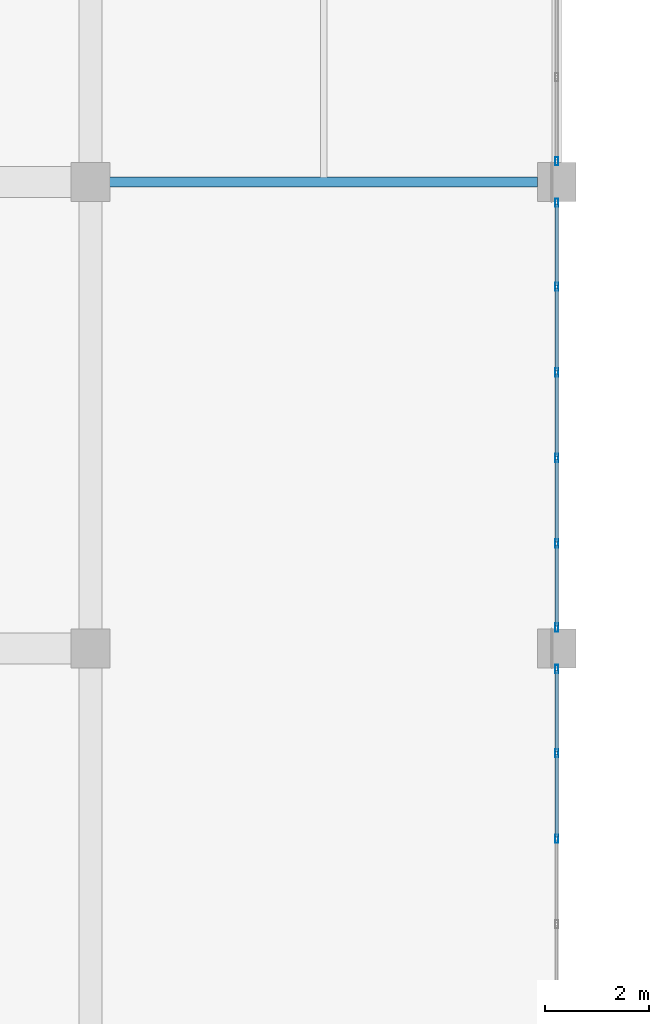
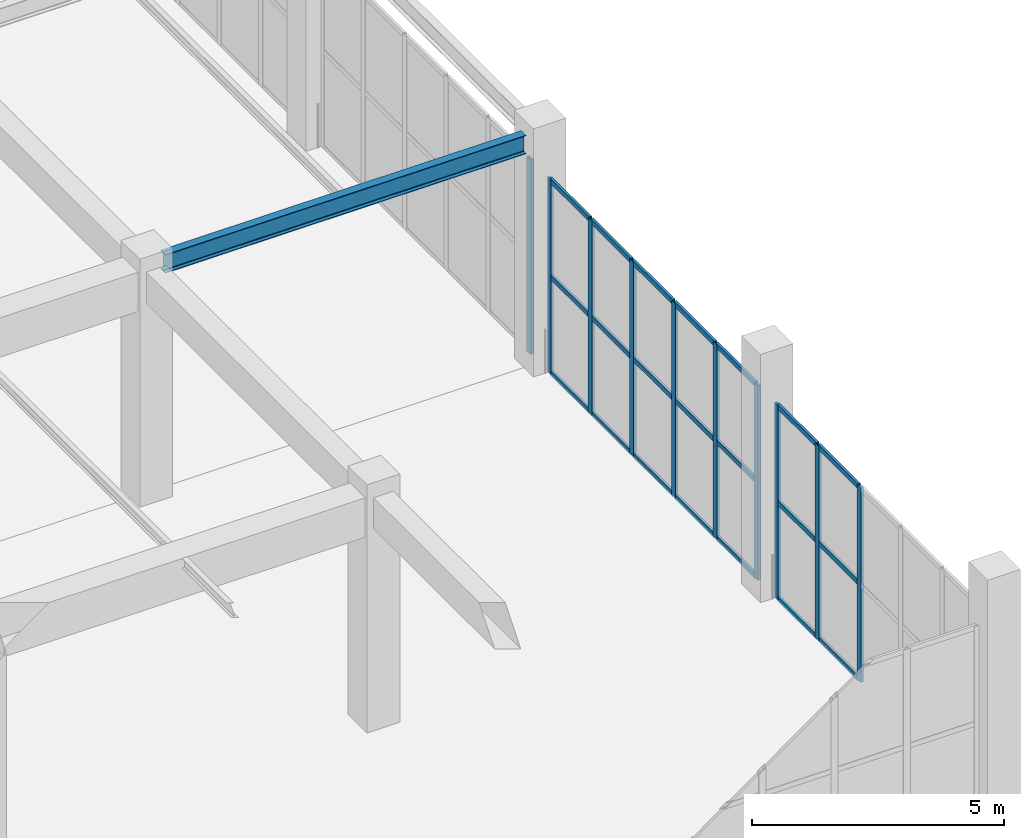
# One storey, part 104 of 223: 31 members, 1 beam, 3 elements without a shape of their own.
"""IFC4 building model written with IfcOpenShell, lengths in metres."""

import ifcopenshell
import ifcopenshell.guid

model = None  # the IFC model being written
_history = None  # IfcOwnerHistory: only IFC2X3 demands one
_inside = {}  # id of a spatial element -> (the spatial element, [elements in it])
_under = {}  # id of a project, library or spatial element -> (it, [spatial elements below it])
_declared = {}  # id of a project -> (the project, [libraries it declares])
_typed = {}  # id of a type object -> (the type object, [elements of that type])
_made_of = {}  # id of a material, layer set ... -> (it, [elements and type objects made of it])


def new_model(schema):
    """Start an empty IFC model of exactly this schema.

    Asked for "IFC4X3", IfcOpenShell would pick the latest addendum, in which some entities
    have other attributes; the version numbers below select the first issue.
    IFC2X3 requires an IfcOwnerHistory on every rooted entity: one is made here for all.
    """
    global model, _history
    if schema == "IFC4X3":
        model = ifcopenshell.file(schema_version=(4, 3, 0, 0))
    else:
        model = ifcopenshell.file(schema=schema)
    _inside.clear()
    _under.clear()
    _declared.clear()
    _typed.clear()
    _made_of.clear()
    _history = None
    if model.schema == "IFC2X3":
        org = make("IfcOrganization", Name="unknown")
        user = make(
            "IfcPersonAndOrganization",
            ThePerson=make("IfcPerson", FamilyName="unknown"),
            TheOrganization=org,
        )
        app = make(
            "IfcApplication",
            ApplicationDeveloper=org,
            Version="unknown",
            ApplicationFullName="unknown",
            ApplicationIdentifier="unknown",
        )
        _history = make(
            "IfcOwnerHistory",
            OwningUser=user,
            OwningApplication=app,
            ChangeAction="ADDED",
            CreationDate=0,
        )
    return model


def make(cls, **values):
    """One entity of the class cls with the attributes given. An attribute that is None is left unset."""
    return model.create_entity(
        cls, **{name: value for name, value in values.items() if value is not None}
    )


def rooted(cls, **values):
    """An entity with a GlobalId (a new one), such as an element, a storey or a relation."""
    return make(cls, GlobalId=ifcopenshell.guid.new(), OwnerHistory=_history, **values)


def si_unit(unit_type, name, prefix=None):
    """IfcSIUnit, for example si_unit("LENGTHUNIT", "METRE", prefix="MILLI")."""
    return make("IfcSIUnit", UnitType=unit_type, Prefix=prefix, Name=name)


def assignment(units):
    """IfcUnitAssignment: the units of a project."""
    return None if units is None else make("IfcUnitAssignment", Units=units)


def point(xyz):
    """IfcCartesianPoint."""
    return None if xyz is None else make("IfcCartesianPoint", Coordinates=xyz)


def direction(xyz):
    """IfcDirection."""
    return None if xyz is None else make("IfcDirection", DirectionRatios=xyz)


def frame(location, z_axis=None, x_axis=None):
    """IfcAxis2Placement3D, a coordinate frame: its origin and axes. An axis left out is left unset."""
    return make(
        "IfcAxis2Placement3D",
        Location=point(location),
        Axis=direction(z_axis),
        RefDirection=direction(x_axis),
    )


def frame_2d(location, x_axis=None):
    """IfcAxis2Placement2D, a coordinate frame in the plane: its origin and x axis."""
    return make(
        "IfcAxis2Placement2D", Location=point(location), RefDirection=direction(x_axis)
    )


def origin():
    """The frame at (0, 0, 0) with its axes left unset."""
    return frame((0.0, 0.0, 0.0))


def origin_2d():
    """The frame at (0, 0) in the plane with its x axis left unset."""
    return frame_2d((0.0, 0.0))


def place(relative_to, where):
    """IfcLocalPlacement: puts the frame where relative to a parent placement (None: the world)."""
    return make(
        "IfcLocalPlacement", PlacementRelTo=relative_to, RelativePlacement=where
    )


def context(
    kind, dimensions, precision=None, world=None, true_north=None, identifier=None
):
    """IfcGeometricRepresentationContext, for example the 3D "Model" context."""
    return make(
        "IfcGeometricRepresentationContext",
        ContextIdentifier=identifier,
        ContextType=kind,
        CoordinateSpaceDimension=dimensions,
        Precision=precision,
        WorldCoordinateSystem=world,
        TrueNorth=true_north,
    )


def subcontext(parent, identifier, kind, view, scale=None):
    """IfcGeometricRepresentationSubContext, for example "Body" below "Model"."""
    return make(
        "IfcGeometricRepresentationSubContext",
        ContextIdentifier=identifier,
        ContextType=kind,
        ParentContext=parent,
        TargetScale=scale,
        TargetView=view,
    )


def project(units=None, contexts=None):
    """IfcProject with its units and contexts."""
    return rooted(
        "IfcProject",
        Name="project",
        RepresentationContexts=contexts,
        UnitsInContext=assignment(units),
    )


def spatial(cls, under=None, at=None, **own):
    """A site, building, storey or space (cls), placed at a placement, below another one or the project."""
    s = rooted(cls, ObjectPlacement=at, **own)
    if under is not None:
        _under.setdefault(under.id(), (under, []))[1].append(s)
    return s


def profile(cls, at=None, kind="AREA", **sizes):
    """A parametric profile (cls). Its sizes go by their IFC names, for example OverallWidth=200.0."""
    return make(cls, ProfileType=kind, Position=at, **sizes)


def hollow_rectangle(**sizes):
    """IfcRectangleHollowProfileDef."""
    return profile("IfcRectangleHollowProfileDef", **sizes)


def i_section(**sizes):
    """IfcIShapeProfileDef."""
    return profile("IfcIShapeProfileDef", **sizes)


def extrude(swept, where, along, depth):
    """IfcExtrudedAreaSolid: the profile swept, set in the frame where, extruded along a direction by depth."""
    return make(
        "IfcExtrudedAreaSolid",
        SweptArea=swept,
        Position=where,
        ExtrudedDirection=direction(along),
        Depth=depth,
    )


def shape(context_of_items, identifier, shape_type, items):
    """IfcShapeRepresentation: the items that make up one representation, for example the "Body"."""
    return make(
        "IfcShapeRepresentation",
        ContextOfItems=context_of_items,
        RepresentationIdentifier=identifier,
        RepresentationType=shape_type,
        Items=items,
    )


def material(Name=None, Category=None):
    """IfcMaterial."""
    return make("IfcMaterial", Name=Name, Category=Category)


def layer(
    of_material, thickness, ventilated=None, Name=None, Category=None, Priority=None
):
    """IfcMaterialLayer: one layer of a wall or slab, of a material (None: an air gap)."""
    return make(
        "IfcMaterialLayer",
        Material=of_material,
        LayerThickness=thickness,
        IsVentilated=ventilated,
        Name=Name,
        Category=Category,
        Priority=Priority,
    )


def layer_set(layers, Name=None):
    """IfcMaterialLayerSet."""
    return make("IfcMaterialLayerSet", MaterialLayers=layers, LayerSetName=Name)


def material_profile(
    of_material, cross_section, Name=None, Category=None, Priority=None
):
    """IfcMaterialProfile: a cross section and its material."""
    return make(
        "IfcMaterialProfile",
        Name=Name,
        Material=of_material,
        Profile=cross_section,
        Priority=Priority,
        Category=Category,
    )


def profile_set(profiles, Name=None, composite=None):
    """IfcMaterialProfileSet."""
    return make(
        "IfcMaterialProfileSet",
        Name=Name,
        MaterialProfiles=profiles,
        CompositeProfile=composite,
    )


def made_of(thing, what):
    """Note that an element or type object is made of a material, layer set ...; save() writes the relation."""
    if what is not None:
        _made_of.setdefault(what.id(), (what, []))[1].append(thing)
    return thing


def type_object(cls, material=None, **own):
    """A type object (cls), such as IfcWallType, which elements share."""
    return made_of(rooted(cls, **own), material)


def element(
    cls,
    number,
    at=None,
    inside=None,
    cuts=None,
    type_object=None,
    material=None,
    context=None,
    identifier="Body",
    shape_type=None,
    held_by="IfcProductDefinitionShape",
    body=None,
    shapes=None,
    **own,
):
    """One element of the class cls, such as IfcWall. Its Tag is "e" and its number.

    at: its placement. inside: the storey or other place that contains it. cuts: it is an
    opening in that element (IfcRelVoidsElement). A single representation is given by context,
    identifier, shape_type and body (its items); several are given by shapes. held_by: the class
    of the entity that holds the representations. save() writes the other relations.
    """
    e = rooted(cls, Tag="e%d" % number, ObjectPlacement=at, **own)
    if body is not None:
        shapes = [shape(context, identifier, shape_type, body)]
    if shapes is not None:
        e.Representation = make(held_by, Representations=shapes)
    if inside is not None:
        _inside.setdefault(inside.id(), (inside, []))[1].append(e)
    if cuts is not None:
        rooted(
            "IfcRelVoidsElement", RelatingBuildingElement=cuts, RelatedOpeningElement=e
        )
    if type_object is not None:
        _typed.setdefault(type_object.id(), (type_object, []))[1].append(e)
    return made_of(e, material)


def aggregate(whole, parts):
    """IfcRelAggregates: a whole, such as a stair, and the parts it consists of."""
    return rooted("IfcRelAggregates", RelatingObject=whole, RelatedObjects=parts)


def save(model, path):
    """Write the relations noted so far, then the file.

    IfcRelAggregates (storeys below a building ...), IfcRelContainedInSpatialStructure (elements
    in a storey), IfcRelDefinesByType, IfcRelAssociatesMaterial and IfcRelDeclares: one each for
    every whole, place, type object, material and project.
    """
    for whole, parts in _under.values():
        aggregate(whole, parts)
    for where, things in _inside.values():
        rooted(
            "IfcRelContainedInSpatialStructure",
            RelatedElements=things,
            RelatingStructure=where,
        )
    for kind, things in _typed.values():
        rooted("IfcRelDefinesByType", RelatedObjects=things, RelatingType=kind)
    for what, things in _made_of.values():
        rooted("IfcRelAssociatesMaterial", RelatedObjects=things, RelatingMaterial=what)
    for by, libraries in _declared.values():
        rooted("IfcRelDeclares", RelatingContext=by, RelatedDefinitions=libraries)
    model.write(path)


model = new_model("IFC4")

# Units and contexts
model_context = context("Model", 3, precision=1e-05, world=origin(), true_north=direction((0.0, 1.0)))
body_context = subcontext(model_context, "Body", "Model", "MODEL_VIEW")
ifc_project = project(units=[si_unit("LENGTHUNIT", "METRE"), si_unit("AREAUNIT", "SQUARE_METRE"), si_unit("VOLUMEUNIT", "CUBIC_METRE"), si_unit("PLANEANGLEUNIT", "RADIAN"), si_unit("MASSUNIT", "GRAM", prefix="KILO")], contexts=[model_context])

# Site, building, storey
site_placement = place(None, origin())
site = spatial("IfcSite", under=ifc_project, at=site_placement, CompositionType="ELEMENT")
building_placement = place(site_placement, origin())
building = spatial("IfcBuilding", under=site, at=building_placement, Name="Dornveld Trade and Exhibition Forum", CompositionType="ELEMENT")
storey_placement = place(building_placement, frame((0.0, 0.0, 6.0)))
storey = spatial("IfcBuildingStorey", under=building, at=storey_placement, Name="L01", CompositionType="ELEMENT", Elevation=6.0)

# Beam
ifc_material_1 = material(Name="Steel S355J2", Category="steel")
ifc_material_profile_1 = material_profile(ifc_material_1, i_section(OverallWidth=0.18994140625, OverallDepth=0.449951171875, WebThickness=0.009521484375, FlangeThickness=0.0146484375, FilletRadius=0.02099609375, at=origin_2d()), Name="IPE 450")
ifc_profile_set_1 = profile_set([ifc_material_profile_1], Name="Steel S355J2")
beam_type = type_object("IfcBeamType", Name="BM-SEC-450", PredefinedType="BEAM", material=ifc_profile_set_1)
beam_placement = place(storey_placement, frame((207.37109375, 126.0, 5.452880859375), z_axis=(1.0, 0.0, 0.0), x_axis=(0.0, 1.0, 0.0)))
element("IfcBeam", 1, at=beam_placement, inside=storey, type_object=beam_type, Name="L01 X-girder 1761", PredefinedType="BEAM", context=body_context, shape_type="SweptSolid", body=[
    extrude(i_section(OverallWidth=0.18994140625, OverallDepth=0.449951171875, WebThickness=0.009521484375, FlangeThickness=0.0146484375, FilletRadius=0.02099609375, at=origin_2d()), origin(), (0.0, 0.0, 1.0), 8.2578125),
])

# Curtain wall, members
ifc_material_2 = material(Name="Dark-bronze anodised aluminium and low-E glass", Category="aluminium")
ifc_layer_1 = layer(ifc_material_2, 0.14501953125)
ifc_layer_set_1 = layer_set([ifc_layer_1], Name="Dark-bronze anodised aluminium and low-E glass")
curtain_wall_type_1 = type_object("IfcCurtainWallType", Name="CW-SYS-01", PredefinedType="USERDEFINED", material=ifc_layer_set_1)
curtain_wall_1_placement = place(storey_placement, origin())
curtain_wall_1 = element("IfcCurtainWall", 2, at=curtain_wall_1_placement, inside=storey, type_object=curtain_wall_type_1, Name="L01 unitised curtain wall 109", ObjectType="UNITISED_CURTAIN_WALL", PredefinedType="USERDEFINED")
ifc_material_3 = material(Name="Dark-bronze anodised aluminium", Category="aluminium")
ifc_material_profile_2 = material_profile(ifc_material_3, hollow_rectangle(XDim=0.06005859375, YDim=0.159912109375, WallThickness=0.00390625, at=origin_2d()), Name="RHS 160x60x4")
ifc_profile_set_2 = profile_set([ifc_material_profile_2], Name="Dark-bronze anodised aluminium")
member_type_1 = type_object("IfcMemberType", Name="CW-MUL-160", PredefinedType="MULLION", material=ifc_profile_set_2)
member_1_placement = place(storey_placement, frame((216.0, 113.32568359375, -0.00390625), z_axis=(0.0, 0.0, 1.0), x_axis=(-1.0, 0.0, 0.0)))
member_1 = element("IfcMember", 3, at=member_1_placement, type_object=member_type_1, Name="CW-01 mullion 4", PredefinedType="MULLION", context=body_context, shape_type="SweptSolid", body=[
    extrude(hollow_rectangle(XDim=0.06005859375, YDim=0.159912109375, WallThickness=0.00390625, at=origin_2d()), origin(), (0.0, 0.0, 1.0), 4.703857421875),
])
member_2_placement = place(storey_placement, frame((216.0, 114.977294921875, -0.00390625), z_axis=(0.0, 0.0, 1.0), x_axis=(-1.0, 0.0, 0.0)))
member_2 = element("IfcMember", 4, at=member_2_placement, type_object=member_type_1, Name="CW-01 mullion 5", PredefinedType="MULLION", context=body_context, shape_type="SweptSolid", body=[
    extrude(hollow_rectangle(XDim=0.06005859375, YDim=0.159912109375, WallThickness=0.00390625, at=origin_2d()), origin(), (0.0, 0.0, 1.0), 4.703857421875),
])
member_3_placement = place(storey_placement, frame((216.0, 116.59912109375, -0.00390625), z_axis=(0.0, 0.0, 1.0), x_axis=(-1.0, 0.0, 0.0)))
member_3 = element("IfcMember", 5, at=member_3_placement, type_object=member_type_1, Name="CW-01 mullion 6", PredefinedType="MULLION", context=body_context, shape_type="SweptSolid", body=[
    extrude(hollow_rectangle(XDim=0.06005859375, YDim=0.159912109375, WallThickness=0.00390625, at=origin_2d()), origin(), (0.0, 0.0, 1.0), 4.703857421875),
])

ifc_material_4 = material(Name="Dark-bronze anodised aluminium and low-E glass", Category="aluminium")
ifc_layer_2 = layer(ifc_material_4, 0.14794921875)
ifc_layer_set_2 = layer_set([ifc_layer_2], Name="Dark-bronze anodised aluminium and low-E glass")
curtain_wall_type_2 = type_object("IfcCurtainWallType", Name="CW-SYS-02", PredefinedType="USERDEFINED", material=ifc_layer_set_2)
curtain_wall_2_placement = place(storey_placement, origin())
curtain_wall_2 = element("IfcCurtainWall", 6, at=curtain_wall_2_placement, inside=storey, type_object=curtain_wall_type_2, Name="L01 unitised curtain wall 110", ObjectType="UNITISED_CURTAIN_WALL", PredefinedType="USERDEFINED")
member_4_placement = place(storey_placement, frame((216.0, 117.40087890625, -0.00390625), z_axis=(0.0, 0.0, 1.0), x_axis=(-1.0, 0.0, 0.0)))
member_4 = element("IfcMember", 7, at=member_4_placement, type_object=member_type_1, Name="CW-02 mullion 1", PredefinedType="MULLION", context=body_context, shape_type="SweptSolid", body=[
    extrude(hollow_rectangle(XDim=0.06005859375, YDim=0.159912109375, WallThickness=0.00390625, at=origin_2d()), origin(), (0.0, 0.0, 1.0), 4.703857421875),
])
member_5_placement = place(storey_placement, frame((216.0, 119.022705078125, -0.00390625), z_axis=(0.0, 0.0, 1.0), x_axis=(-1.0, 0.0, 0.0)))
member_5 = element("IfcMember", 8, at=member_5_placement, type_object=member_type_1, Name="CW-02 mullion 2", PredefinedType="MULLION", context=body_context, shape_type="SweptSolid", body=[
    extrude(hollow_rectangle(XDim=0.06005859375, YDim=0.159912109375, WallThickness=0.00390625, at=origin_2d()), origin(), (0.0, 0.0, 1.0), 4.703857421875),
])
member_6_placement = place(storey_placement, frame((216.0, 120.67431640625, -0.00390625), z_axis=(0.0, 0.0, 1.0), x_axis=(-1.0, 0.0, 0.0)))
member_6 = element("IfcMember", 9, at=member_6_placement, type_object=member_type_1, Name="CW-02 mullion 3", PredefinedType="MULLION", context=body_context, shape_type="SweptSolid", body=[
    extrude(hollow_rectangle(XDim=0.06005859375, YDim=0.159912109375, WallThickness=0.00390625, at=origin_2d()), origin(), (0.0, 0.0, 1.0), 4.703857421875),
])
member_7_placement = place(storey_placement, frame((216.0, 122.32568359375, -0.00390625), z_axis=(0.0, 0.0, 1.0), x_axis=(-1.0, 0.0, 0.0)))
member_7 = element("IfcMember", 10, at=member_7_placement, type_object=member_type_1, Name="CW-02 mullion 4", PredefinedType="MULLION", context=body_context, shape_type="SweptSolid", body=[
    extrude(hollow_rectangle(XDim=0.06005859375, YDim=0.159912109375, WallThickness=0.00390625, at=origin_2d()), origin(), (0.0, 0.0, 1.0), 4.703857421875),
])
member_8_placement = place(storey_placement, frame((216.0, 123.977294921875, -0.00390625), z_axis=(0.0, 0.0, 1.0), x_axis=(-1.0, 0.0, 0.0)))
member_8 = element("IfcMember", 11, at=member_8_placement, type_object=member_type_1, Name="CW-02 mullion 5", PredefinedType="MULLION", context=body_context, shape_type="SweptSolid", body=[
    extrude(hollow_rectangle(XDim=0.06005859375, YDim=0.159912109375, WallThickness=0.00390625, at=origin_2d()), origin(), (0.0, 0.0, 1.0), 4.703857421875),
])
member_9_placement = place(storey_placement, frame((216.0, 125.59912109375, -0.00390625), z_axis=(0.0, 0.0, 1.0), x_axis=(-1.0, 0.0, 0.0)))
member_9 = element("IfcMember", 12, at=member_9_placement, type_object=member_type_1, Name="CW-02 mullion 6", PredefinedType="MULLION", context=body_context, shape_type="SweptSolid", body=[
    extrude(hollow_rectangle(XDim=0.06005859375, YDim=0.159912109375, WallThickness=0.00390625, at=origin_2d()), origin(), (0.0, 0.0, 1.0), 4.703857421875),
])

# Curtain wall, member
ifc_material_5 = material(Name="Dark-bronze anodised aluminium and low-E glass", Category="aluminium")
ifc_layer_3 = layer(ifc_material_5, 0.15087890625)
ifc_layer_set_3 = layer_set([ifc_layer_3], Name="Dark-bronze anodised aluminium and low-E glass")
curtain_wall_type_3 = type_object("IfcCurtainWallType", Name="CW-SYS-03", PredefinedType="USERDEFINED", material=ifc_layer_set_3)
curtain_wall_3_placement = place(storey_placement, origin())
curtain_wall_3 = element("IfcCurtainWall", 13, at=curtain_wall_3_placement, inside=storey, type_object=curtain_wall_type_3, Name="L01 unitised curtain wall 111", ObjectType="UNITISED_CURTAIN_WALL", PredefinedType="USERDEFINED")
member_10_placement = place(storey_placement, frame((216.0, 126.40087890625, -0.00390625), z_axis=(0.0, 0.0, 1.0), x_axis=(-1.0, 0.0, 0.0)))
member_10 = element("IfcMember", 14, at=member_10_placement, type_object=member_type_1, Name="CW-03 mullion 1", PredefinedType="MULLION", context=body_context, shape_type="SweptSolid", body=[
    extrude(hollow_rectangle(XDim=0.06005859375, YDim=0.159912109375, WallThickness=0.00390625, at=origin_2d()), origin(), (0.0, 0.0, 1.0), 4.703857421875),
])
aggregate(curtain_wall_3, [member_10])

# Member
ifc_material_6 = material(Name="Dark-bronze anodised aluminium", Category="aluminium")
ifc_material_profile_3 = material_profile(ifc_material_6, hollow_rectangle(XDim=0.06005859375, YDim=0.1201171875, WallThickness=0.00390625, at=origin_2d()), Name="RHS 120x60x4")
ifc_profile_set_3 = profile_set([ifc_material_profile_3], Name="Dark-bronze anodised aluminium")
member_type_2 = type_object("IfcMemberType", Name="CW-TRN-120", PredefinedType="USERDEFINED", material=ifc_profile_set_3)
member_11_placement = place(storey_placement, frame((216.0, 113.355712890625, 0.02587890625), z_axis=(0.0, 1.0, 0.0), x_axis=(-1.0, 0.0, 0.0)))
member_11 = element("IfcMember", 15, at=member_11_placement, type_object=member_type_2, Name="CW-01 transom 4.1", ObjectType="TRANSOM", PredefinedType="USERDEFINED", context=body_context, shape_type="SweptSolid", body=[
    extrude(hollow_rectangle(XDim=0.06005859375, YDim=0.1201171875, WallThickness=0.00390625, at=origin_2d()), origin(), (0.0, 0.0, 1.0), 1.591796875),
])

member_12_placement = place(storey_placement, frame((216.0, 113.355712890625, 2.347900390625), z_axis=(0.0, 1.0, 0.0), x_axis=(-1.0, 0.0, 0.0)))
member_12 = element("IfcMember", 16, at=member_12_placement, type_object=member_type_2, Name="CW-01 transom 4.2", ObjectType="TRANSOM", PredefinedType="USERDEFINED", context=body_context, shape_type="SweptSolid", body=[
    extrude(hollow_rectangle(XDim=0.06005859375, YDim=0.1201171875, WallThickness=0.00390625, at=origin_2d()), origin(), (0.0, 0.0, 1.0), 1.591796875),
])

member_13_placement = place(storey_placement, frame((216.0, 113.355712890625, 4.669921875), z_axis=(0.0, 1.0, 0.0), x_axis=(-1.0, 0.0, 0.0)))
member_13 = element("IfcMember", 17, at=member_13_placement, type_object=member_type_2, Name="CW-01 transom 4.3", ObjectType="TRANSOM", PredefinedType="USERDEFINED", context=body_context, shape_type="SweptSolid", body=[
    extrude(hollow_rectangle(XDim=0.06005859375, YDim=0.1201171875, WallThickness=0.00390625, at=origin_2d()), origin(), (0.0, 0.0, 1.0), 1.591796875),
])

member_14_placement = place(storey_placement, frame((216.0, 115.00732421875, 0.02587890625), z_axis=(0.0, 1.0, 0.0), x_axis=(-1.0, 0.0, 0.0)))
member_14 = element("IfcMember", 18, at=member_14_placement, type_object=member_type_2, Name="CW-01 transom 5.1", ObjectType="TRANSOM", PredefinedType="USERDEFINED", context=body_context, shape_type="SweptSolid", body=[
    extrude(hollow_rectangle(XDim=0.06005859375, YDim=0.1201171875, WallThickness=0.00390625, at=origin_2d()), origin(), (0.0, 0.0, 1.0), 1.561767578125),
])

member_15_placement = place(storey_placement, frame((216.0, 115.00732421875, 2.347900390625), z_axis=(0.0, 1.0, 0.0), x_axis=(-1.0, 0.0, 0.0)))
member_15 = element("IfcMember", 19, at=member_15_placement, type_object=member_type_2, Name="CW-01 transom 5.2", ObjectType="TRANSOM", PredefinedType="USERDEFINED", context=body_context, shape_type="SweptSolid", body=[
    extrude(hollow_rectangle(XDim=0.06005859375, YDim=0.1201171875, WallThickness=0.00390625, at=origin_2d()), origin(), (0.0, 0.0, 1.0), 1.561767578125),
])

member_16_placement = place(storey_placement, frame((216.0, 115.00732421875, 4.669921875), z_axis=(0.0, 1.0, 0.0), x_axis=(-1.0, 0.0, 0.0)))
member_16 = element("IfcMember", 20, at=member_16_placement, type_object=member_type_2, Name="CW-01 transom 5.3", ObjectType="TRANSOM", PredefinedType="USERDEFINED", context=body_context, shape_type="SweptSolid", body=[
    extrude(hollow_rectangle(XDim=0.06005859375, YDim=0.1201171875, WallThickness=0.00390625, at=origin_2d()), origin(), (0.0, 0.0, 1.0), 1.561767578125),
])

aggregate(curtain_wall_1, [member_1, member_2, member_3, member_11, member_12, member_13, member_14, member_15, member_16])

member_17_placement = place(storey_placement, frame((216.0, 117.430908203125, 0.02587890625), z_axis=(0.0, 1.0, 0.0), x_axis=(-1.0, 0.0, 0.0)))
member_17 = element("IfcMember", 21, at=member_17_placement, type_object=member_type_2, Name="CW-02 transom 1.1", ObjectType="TRANSOM", PredefinedType="USERDEFINED", context=body_context, shape_type="SweptSolid", body=[
    extrude(hollow_rectangle(XDim=0.06005859375, YDim=0.1201171875, WallThickness=0.00390625, at=origin_2d()), origin(), (0.0, 0.0, 1.0), 1.561767578125),
])

member_18_placement = place(storey_placement, frame((216.0, 117.430908203125, 2.347900390625), z_axis=(0.0, 1.0, 0.0), x_axis=(-1.0, 0.0, 0.0)))
member_18 = element("IfcMember", 22, at=member_18_placement, type_object=member_type_2, Name="CW-02 transom 1.2", ObjectType="TRANSOM", PredefinedType="USERDEFINED", context=body_context, shape_type="SweptSolid", body=[
    extrude(hollow_rectangle(XDim=0.06005859375, YDim=0.1201171875, WallThickness=0.00390625, at=origin_2d()), origin(), (0.0, 0.0, 1.0), 1.561767578125),
])

member_19_placement = place(storey_placement, frame((216.0, 117.430908203125, 4.669921875), z_axis=(0.0, 1.0, 0.0), x_axis=(-1.0, 0.0, 0.0)))
member_19 = element("IfcMember", 23, at=member_19_placement, type_object=member_type_2, Name="CW-02 transom 1.3", ObjectType="TRANSOM", PredefinedType="USERDEFINED", context=body_context, shape_type="SweptSolid", body=[
    extrude(hollow_rectangle(XDim=0.06005859375, YDim=0.1201171875, WallThickness=0.00390625, at=origin_2d()), origin(), (0.0, 0.0, 1.0), 1.561767578125),
])

member_20_placement = place(storey_placement, frame((216.0, 119.052490234375, 0.02587890625), z_axis=(0.0, 1.0, 0.0), x_axis=(-1.0, 0.0, 0.0)))
member_20 = element("IfcMember", 24, at=member_20_placement, type_object=member_type_2, Name="CW-02 transom 2.1", ObjectType="TRANSOM", PredefinedType="USERDEFINED", context=body_context, shape_type="SweptSolid", body=[
    extrude(hollow_rectangle(XDim=0.06005859375, YDim=0.1201171875, WallThickness=0.00390625, at=origin_2d()), origin(), (0.0, 0.0, 1.0), 1.591796875),
])

member_21_placement = place(storey_placement, frame((216.0, 119.052490234375, 2.347900390625), z_axis=(0.0, 1.0, 0.0), x_axis=(-1.0, 0.0, 0.0)))
member_21 = element("IfcMember", 25, at=member_21_placement, type_object=member_type_2, Name="CW-02 transom 2.2", ObjectType="TRANSOM", PredefinedType="USERDEFINED", context=body_context, shape_type="SweptSolid", body=[
    extrude(hollow_rectangle(XDim=0.06005859375, YDim=0.1201171875, WallThickness=0.00390625, at=origin_2d()), origin(), (0.0, 0.0, 1.0), 1.591796875),
])

member_22_placement = place(storey_placement, frame((216.0, 119.052490234375, 4.669921875), z_axis=(0.0, 1.0, 0.0), x_axis=(-1.0, 0.0, 0.0)))
member_22 = element("IfcMember", 26, at=member_22_placement, type_object=member_type_2, Name="CW-02 transom 2.3", ObjectType="TRANSOM", PredefinedType="USERDEFINED", context=body_context, shape_type="SweptSolid", body=[
    extrude(hollow_rectangle(XDim=0.06005859375, YDim=0.1201171875, WallThickness=0.00390625, at=origin_2d()), origin(), (0.0, 0.0, 1.0), 1.591796875),
])

member_23_placement = place(storey_placement, frame((216.0, 120.7041015625, 0.02587890625), z_axis=(0.0, 1.0, 0.0), x_axis=(-1.0, 0.0, 0.0)))
member_23 = element("IfcMember", 27, at=member_23_placement, type_object=member_type_2, Name="CW-02 transom 3.1", ObjectType="TRANSOM", PredefinedType="USERDEFINED", context=body_context, shape_type="SweptSolid", body=[
    extrude(hollow_rectangle(XDim=0.06005859375, YDim=0.1201171875, WallThickness=0.00390625, at=origin_2d()), origin(), (0.0, 0.0, 1.0), 1.591796875),
])

member_24_placement = place(storey_placement, frame((216.0, 120.7041015625, 2.347900390625), z_axis=(0.0, 1.0, 0.0), x_axis=(-1.0, 0.0, 0.0)))
member_24 = element("IfcMember", 28, at=member_24_placement, type_object=member_type_2, Name="CW-02 transom 3.2", ObjectType="TRANSOM", PredefinedType="USERDEFINED", context=body_context, shape_type="SweptSolid", body=[
    extrude(hollow_rectangle(XDim=0.06005859375, YDim=0.1201171875, WallThickness=0.00390625, at=origin_2d()), origin(), (0.0, 0.0, 1.0), 1.591796875),
])

member_25_placement = place(storey_placement, frame((216.0, 120.7041015625, 4.669921875), z_axis=(0.0, 1.0, 0.0), x_axis=(-1.0, 0.0, 0.0)))
member_25 = element("IfcMember", 29, at=member_25_placement, type_object=member_type_2, Name="CW-02 transom 3.3", ObjectType="TRANSOM", PredefinedType="USERDEFINED", context=body_context, shape_type="SweptSolid", body=[
    extrude(hollow_rectangle(XDim=0.06005859375, YDim=0.1201171875, WallThickness=0.00390625, at=origin_2d()), origin(), (0.0, 0.0, 1.0), 1.591796875),
])

member_26_placement = place(storey_placement, frame((216.0, 122.355712890625, 0.02587890625), z_axis=(0.0, 1.0, 0.0), x_axis=(-1.0, 0.0, 0.0)))
member_26 = element("IfcMember", 30, at=member_26_placement, type_object=member_type_2, Name="CW-02 transom 4.1", ObjectType="TRANSOM", PredefinedType="USERDEFINED", context=body_context, shape_type="SweptSolid", body=[
    extrude(hollow_rectangle(XDim=0.06005859375, YDim=0.1201171875, WallThickness=0.00390625, at=origin_2d()), origin(), (0.0, 0.0, 1.0), 1.591796875),
])

member_27_placement = place(storey_placement, frame((216.0, 122.355712890625, 2.347900390625), z_axis=(0.0, 1.0, 0.0), x_axis=(-1.0, 0.0, 0.0)))
member_27 = element("IfcMember", 31, at=member_27_placement, type_object=member_type_2, Name="CW-02 transom 4.2", ObjectType="TRANSOM", PredefinedType="USERDEFINED", context=body_context, shape_type="SweptSolid", body=[
    extrude(hollow_rectangle(XDim=0.06005859375, YDim=0.1201171875, WallThickness=0.00390625, at=origin_2d()), origin(), (0.0, 0.0, 1.0), 1.591796875),
])

member_28_placement = place(storey_placement, frame((216.0, 122.355712890625, 4.669921875), z_axis=(0.0, 1.0, 0.0), x_axis=(-1.0, 0.0, 0.0)))
member_28 = element("IfcMember", 32, at=member_28_placement, type_object=member_type_2, Name="CW-02 transom 4.3", ObjectType="TRANSOM", PredefinedType="USERDEFINED", context=body_context, shape_type="SweptSolid", body=[
    extrude(hollow_rectangle(XDim=0.06005859375, YDim=0.1201171875, WallThickness=0.00390625, at=origin_2d()), origin(), (0.0, 0.0, 1.0), 1.591796875),
])

member_29_placement = place(storey_placement, frame((216.0, 124.00732421875, 0.02587890625), z_axis=(0.0, 1.0, 0.0), x_axis=(-1.0, 0.0, 0.0)))
member_29 = element("IfcMember", 33, at=member_29_placement, type_object=member_type_2, Name="CW-02 transom 5.1", ObjectType="TRANSOM", PredefinedType="USERDEFINED", context=body_context, shape_type="SweptSolid", body=[
    extrude(hollow_rectangle(XDim=0.06005859375, YDim=0.1201171875, WallThickness=0.00390625, at=origin_2d()), origin(), (0.0, 0.0, 1.0), 1.561767578125),
])

member_30_placement = place(storey_placement, frame((216.0, 124.00732421875, 2.347900390625), z_axis=(0.0, 1.0, 0.0), x_axis=(-1.0, 0.0, 0.0)))
member_30 = element("IfcMember", 34, at=member_30_placement, type_object=member_type_2, Name="CW-02 transom 5.2", ObjectType="TRANSOM", PredefinedType="USERDEFINED", context=body_context, shape_type="SweptSolid", body=[
    extrude(hollow_rectangle(XDim=0.06005859375, YDim=0.1201171875, WallThickness=0.00390625, at=origin_2d()), origin(), (0.0, 0.0, 1.0), 1.561767578125),
])

member_31_placement = place(storey_placement, frame((216.0, 124.00732421875, 4.669921875), z_axis=(0.0, 1.0, 0.0), x_axis=(-1.0, 0.0, 0.0)))
member_31 = element("IfcMember", 35, at=member_31_placement, type_object=member_type_2, Name="CW-02 transom 5.3", ObjectType="TRANSOM", PredefinedType="USERDEFINED", context=body_context, shape_type="SweptSolid", body=[
    extrude(hollow_rectangle(XDim=0.06005859375, YDim=0.1201171875, WallThickness=0.00390625, at=origin_2d()), origin(), (0.0, 0.0, 1.0), 1.561767578125),
])

aggregate(curtain_wall_2, [member_4, member_5, member_6, member_7, member_8, member_9, member_17, member_18, member_19, member_20, member_21, member_22, member_23, member_24, member_25, member_26, member_27, member_28, member_29, member_30, member_31])

save(model, "model.ifc")
